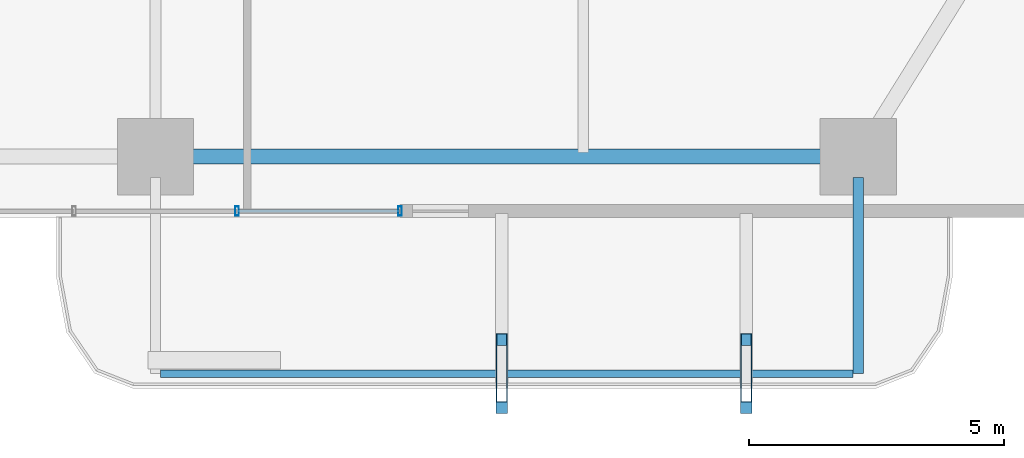
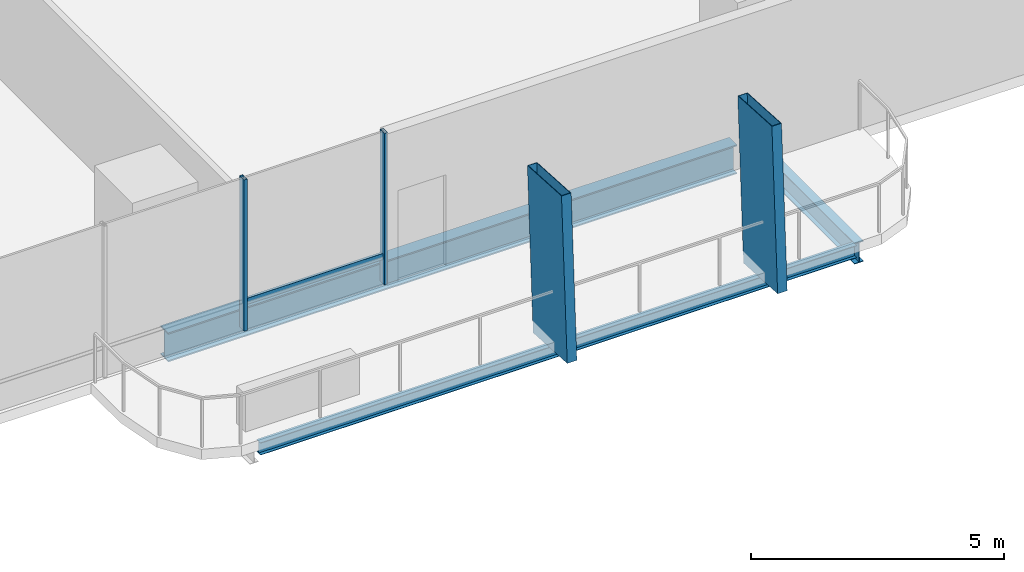
# One storey, part 6 of 24: 5 members, 3 beams, 1 element without a shape of its own.
"""IFC4 building model written with IfcOpenShell, lengths in metres."""

from ifc_helpers import new_model, si_unit, direction, frame, origin, origin_2d, place, context, subcontext, project, spatial, hollow_rectangle, i_section, extrude, material, layer, layer_set, material_profile, profile_set, type_object, element, aggregate, save


model = new_model("IFC4")

# Units and contexts
model_context = context("Model", 3, precision=1e-05, world=origin(), true_north=direction((0.0, 1.0)))
body_context = subcontext(model_context, "Body", "Model", "MODEL_VIEW")
ifc_project = project(units=[si_unit("LENGTHUNIT", "METRE"), si_unit("AREAUNIT", "SQUARE_METRE"), si_unit("VOLUMEUNIT", "CUBIC_METRE"), si_unit("PLANEANGLEUNIT", "RADIAN"), si_unit("MASSUNIT", "GRAM", prefix="KILO")], contexts=[model_context])

# Site, building, storey
site_placement = place(None, origin())
site = spatial("IfcSite", under=ifc_project, at=site_placement, CompositionType="ELEMENT")
building_placement = place(site_placement, origin())
building = spatial("IfcBuilding", under=site, at=building_placement, Name="Belovzor Exchange Tower", CompositionType="ELEMENT")
storey_placement = place(building_placement, frame((0.0, 0.0, 37.800048828125)))
storey = spatial("IfcBuildingStorey", under=building, at=storey_placement, Name="L08", CompositionType="ELEMENT", Elevation=37.800048828125)

# Members
ifc_material_1 = material(Name="Extruded Architectural Terracotta on Steel S355 Carrier", Category="masonry")
ifc_material_profile_1 = material_profile(ifc_material_1, hollow_rectangle(XDim=0.219970703125, YDim=1.35009765625, WallThickness=0.013916015625, at=origin_2d()))
ifc_profile_set_1 = profile_set([ifc_material_profile_1], Name="Extruded Architectural Terracotta on Steel S355 Carrier")
member_type_1 = type_object("IfcMemberType", Name="Base Arc Sweeping Terracotta Pylon Fin 1450", PredefinedType="USERDEFINED", material=ifc_profile_set_1)
for number, where, z_axis, x_axis, name in (
    (1, (35.60009765625, -2.27294921875, -0.25), (0.0, 0.058121188646, 0.998309534879), (-1.0, 0.0, 0.0), "FIN-TC145 Terracotta Facade Fin L08 S3"),
    (2, (40.39990234375, -2.27294921875, -0.25), (0.0, 0.058121188646, 0.998309534879), (-1.0, 0.0, 0.0), "FIN-TC145 Terracotta Facade Fin L08 S4"),
):
    element("IfcMember", number, at=place(storey_placement, frame(where, z_axis=z_axis, x_axis=x_axis)), inside=storey, type_object=member_type_1, Name=name, ObjectType="FIN", PredefinedType="USERDEFINED", context=body_context, shape_type="SweptSolid", body=[
        extrude(hollow_rectangle(XDim=0.219970703125, YDim=1.35009765625, WallThickness=0.013916015625, at=origin_2d()), origin(), (0.0, 0.0, 1.0), 3.906494140625),
    ])

# Beams
ifc_material_2 = material(Name="Steel S355", Category="steel")
ifc_material_profile_2 = material_profile(ifc_material_2, i_section(OverallWidth=0.199951171875, OverallDepth=0.5, WebThickness=0.01025390625, FlangeThickness=0.01611328125, at=origin_2d()))
ifc_profile_set_2 = profile_set([ifc_material_profile_2], Name="Steel S355")
beam_type_1 = type_object("IfcBeamType", Name="Planted Balcony Cantilever Beam IPE 500", PredefinedType="BEAM", material=ifc_profile_set_2)
beam_1_placement = place(storey_placement, frame((42.60009765625, 1.68798828125, -0.5), z_axis=(0.0, -1.0, 0.0), x_axis=(1.0, 0.0, 0.0)))
element("IfcBeam", 3, at=beam_1_placement, inside=storey, type_object=beam_type_1, Name="BC-500 Planted Balcony Cantilever Beam IPE 500", PredefinedType="BEAM", context=body_context, shape_type="SweptSolid", body=[
    extrude(i_section(OverallWidth=0.199951171875, OverallDepth=0.5, WebThickness=0.01025390625, FlangeThickness=0.01611328125, at=origin_2d()), origin(), (0.0, 0.0, 1.0), 3.85009765625),
])
ifc_material_3 = material(Name="Steel S355", Category="steel")
ifc_material_profile_3 = material_profile(ifc_material_3, i_section(OverallWidth=0.14990234375, OverallDepth=0.300048828125, WebThickness=0.007080078125, FlangeThickness=0.0107421875, at=origin_2d()))
ifc_profile_set_3 = profile_set([ifc_material_profile_3], Name="Steel S355")
beam_type_2 = type_object("IfcBeamType", Name="Planted Balcony Fascia Edge Beam IPE 300", PredefinedType="BEAM", material=ifc_profile_set_3)
beam_2_placement = place(storey_placement, frame((28.89990234375, -2.162109375, -0.400146484375), z_axis=(1.0, 0.0, 0.0), x_axis=(0.0, 1.0, 0.0)))
element("IfcBeam", 4, at=beam_2_placement, inside=storey, type_object=beam_type_2, Name="BC-300 Planted Balcony Fascia Edge Beam IPE 300", PredefinedType="BEAM", context=body_context, shape_type="SweptSolid", body=[
    extrude(i_section(OverallWidth=0.14990234375, OverallDepth=0.300048828125, WebThickness=0.007080078125, FlangeThickness=0.0107421875, at=origin_2d()), origin(), (0.0, 0.0, 1.0), 13.60009765625),
])

# Curtain wall, members
ifc_material_4 = material(Name="Anodised Aluminium Framing", Category="aluminium")
ifc_layer = layer(ifc_material_4, 0.179931640625)
ifc_layer_set = layer_set([ifc_layer], Name="Anodised Aluminium Framing")
curtain_wall_type = type_object("IfcCurtainWallType", Name="Recessed Loggia Low-Iron Triple-Glazed Curtain Wall", PredefinedType="NOTDEFINED", material=ifc_layer_set)
curtain_wall_placement = place(storey_placement, origin())
curtain_wall = element("IfcCurtainWall", 5, at=curtain_wall_placement, inside=storey, type_object=curtain_wall_type, Name="CW3 Recessed Loggia Low-Iron Triple-Glazed Curtain Wall L08", PredefinedType="NOTDEFINED")
ifc_material_5 = material(Name="Steel S355", Category="steel")
ifc_material_profile_4 = material_profile(ifc_material_5, hollow_rectangle(XDim=0.074951171875, YDim=0.179931640625, WallThickness=0.0048828125, at=origin_2d()))
ifc_profile_set_4 = profile_set([ifc_material_profile_4], Name="Steel S355")
member_type_2 = type_object("IfcMemberType", Name="Thermally Broken Curtain Wall Mullion 180x75", PredefinedType="MULLION", material=ifc_profile_set_4)
member_1_placement = place(storey_placement, frame((33.60009765625, 1.030029296875, 0.0), z_axis=(0.0, 0.0, 1.0), x_axis=(-1.0, 0.0, 0.0)))
member_1 = element("IfcMember", 6, at=member_1_placement, type_object=member_type_2, Name="CW-M180 Curtain Wall Mullion 1", PredefinedType="MULLION", context=body_context, shape_type="SweptSolid", body=[
    extrude(hollow_rectangle(XDim=0.074951171875, YDim=0.179931640625, WallThickness=0.0048828125, at=origin_2d()), origin(), (0.0, 0.0, 1.0), 3.64990234375),
])
member_2_placement = place(storey_placement, frame((30.39990234375, 1.030029296875, 0.0), z_axis=(0.0, 0.0, 1.0), x_axis=(-1.0, 0.0, 0.0)))
member_2 = element("IfcMember", 7, at=member_2_placement, type_object=member_type_2, Name="CW-M180 Curtain Wall Mullion 2", PredefinedType="MULLION", context=body_context, shape_type="SweptSolid", body=[
    extrude(hollow_rectangle(XDim=0.074951171875, YDim=0.179931640625, WallThickness=0.0048828125, at=origin_2d()), origin(), (0.0, 0.0, 1.0), 3.64990234375),
])
ifc_material_6 = material(Name="Steel S355", Category="steel")
ifc_material_profile_5 = material_profile(ifc_material_6, hollow_rectangle(XDim=0.06005859375, YDim=0.14990234375, WallThickness=0.00390625, at=origin_2d()))
ifc_profile_set_5 = profile_set([ifc_material_profile_5], Name="Steel S355")
member_type_3 = type_object("IfcMemberType", Name="Thermally Broken Curtain Wall Transom 150x60", PredefinedType="USERDEFINED", material=ifc_profile_set_5)
member_3_placement = place(storey_placement, frame((33.592041015625, 1.030029296875, 0.64990234375), z_axis=(-1.0, 0.0, 0.0), x_axis=(0.0, -1.0, 0.0)))
member_3 = element("IfcMember", 8, at=member_3_placement, type_object=member_type_3, Name="CW-T150 Curtain Wall Transom 1", ObjectType="TRANSOM", PredefinedType="USERDEFINED", context=body_context, shape_type="SweptSolid", body=[
    extrude(hollow_rectangle(XDim=0.06005859375, YDim=0.14990234375, WallThickness=0.00390625, at=origin_2d()), origin(), (0.0, 0.0, 1.0), 3.18408203125),
])
aggregate(curtain_wall, [member_1, member_2, member_3])

# Beam
ifc_material_7 = material(Name="Steel S355", Category="steel")
ifc_material_profile_6 = material_profile(ifc_material_7, i_section(OverallWidth=0.300048828125, OverallDepth=0.699951171875, WebThickness=0.01708984375, FlangeThickness=0.031982421875, at=origin_2d()))
ifc_profile_set_6 = profile_set([ifc_material_profile_6], Name="Steel S355")
beam_type_3 = type_object("IfcBeamType", Name="Zone 1 Primary Perimeter Girder HEB 700", PredefinedType="BEAM", material=ifc_profile_set_6)
beam_3_placement = place(storey_placement, frame((29.212890625, 2.10009765625, -0.60009765625), z_axis=(1.0, 0.0, 0.0), x_axis=(0.0, 1.0, 0.0)))
element("IfcBeam", 9, at=beam_3_placement, inside=storey, type_object=beam_type_3, Name="FG-Z1 Zone 1 Primary Perimeter Girder HEB 700", PredefinedType="BEAM", context=body_context, shape_type="SweptSolid", body=[
    extrude(i_section(OverallWidth=0.300048828125, OverallDepth=0.699951171875, WebThickness=0.01708984375, FlangeThickness=0.031982421875, at=origin_2d()), origin(), (0.0, 0.0, 1.0), 12.97509765625),
])

save(model, "model.ifc")
